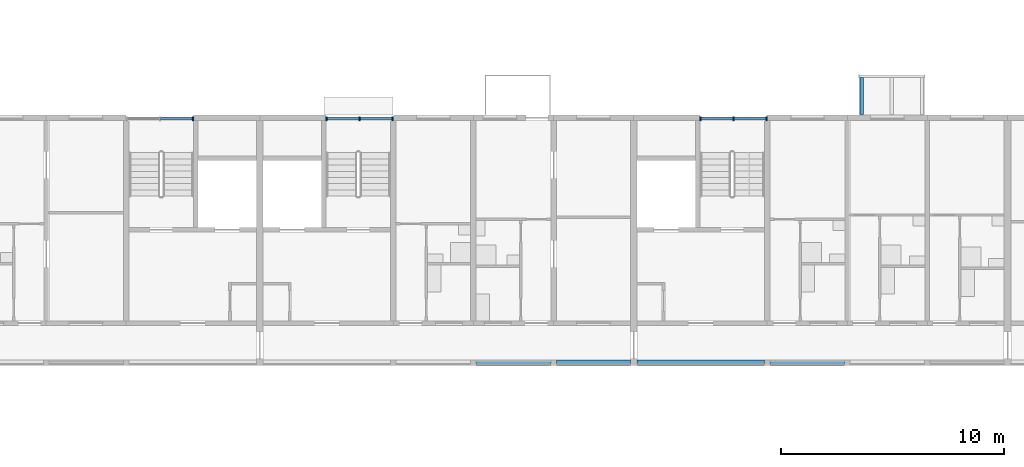
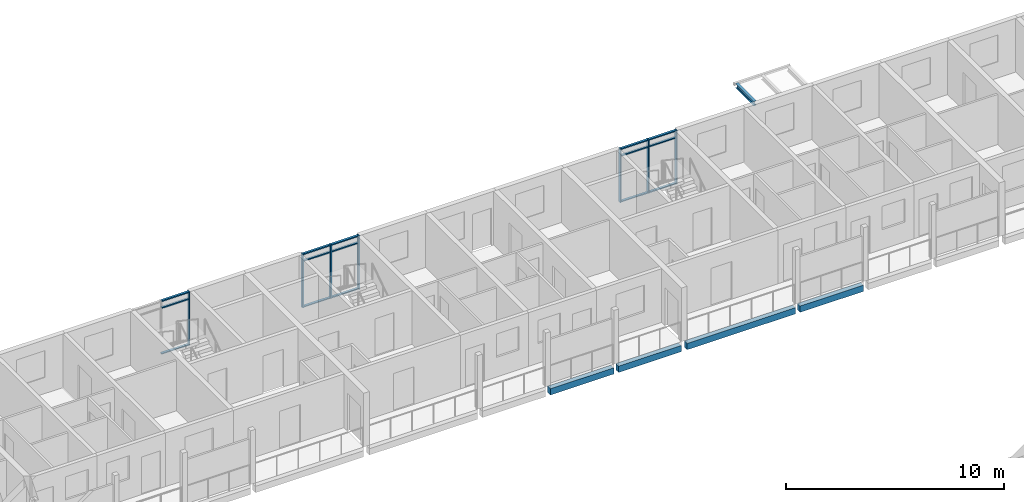
# One storey, part 37 of 122: 22 members, 5 beams, 3 elements without a shape of their own.
"""IFC4 building model written with IfcOpenShell, lengths in metres."""

import ifcopenshell
import ifcopenshell.guid

model = None  # the IFC model being written
_history = None  # IfcOwnerHistory: only IFC2X3 demands one
_inside = {}  # id of a spatial element -> (the spatial element, [elements in it])
_under = {}  # id of a project, library or spatial element -> (it, [spatial elements below it])
_declared = {}  # id of a project -> (the project, [libraries it declares])
_typed = {}  # id of a type object -> (the type object, [elements of that type])
_made_of = {}  # id of a material, layer set ... -> (it, [elements and type objects made of it])


def new_model(schema):
    """Start an empty IFC model of exactly this schema.

    Asked for "IFC4X3", IfcOpenShell would pick the latest addendum, in which some entities
    have other attributes; the version numbers below select the first issue.
    IFC2X3 requires an IfcOwnerHistory on every rooted entity: one is made here for all.
    """
    global model, _history
    if schema == "IFC4X3":
        model = ifcopenshell.file(schema_version=(4, 3, 0, 0))
    else:
        model = ifcopenshell.file(schema=schema)
    _inside.clear()
    _under.clear()
    _declared.clear()
    _typed.clear()
    _made_of.clear()
    _history = None
    if model.schema == "IFC2X3":
        org = make("IfcOrganization", Name="unknown")
        user = make(
            "IfcPersonAndOrganization",
            ThePerson=make("IfcPerson", FamilyName="unknown"),
            TheOrganization=org,
        )
        app = make(
            "IfcApplication",
            ApplicationDeveloper=org,
            Version="unknown",
            ApplicationFullName="unknown",
            ApplicationIdentifier="unknown",
        )
        _history = make(
            "IfcOwnerHistory",
            OwningUser=user,
            OwningApplication=app,
            ChangeAction="ADDED",
            CreationDate=0,
        )
    return model


def make(cls, **values):
    """One entity of the class cls with the attributes given. An attribute that is None is left unset."""
    return model.create_entity(
        cls, **{name: value for name, value in values.items() if value is not None}
    )


def rooted(cls, **values):
    """An entity with a GlobalId (a new one), such as an element, a storey or a relation."""
    return make(cls, GlobalId=ifcopenshell.guid.new(), OwnerHistory=_history, **values)


def si_unit(unit_type, name, prefix=None):
    """IfcSIUnit, for example si_unit("LENGTHUNIT", "METRE", prefix="MILLI")."""
    return make("IfcSIUnit", UnitType=unit_type, Prefix=prefix, Name=name)


def assignment(units):
    """IfcUnitAssignment: the units of a project."""
    return None if units is None else make("IfcUnitAssignment", Units=units)


def point(xyz):
    """IfcCartesianPoint."""
    return None if xyz is None else make("IfcCartesianPoint", Coordinates=xyz)


def direction(xyz):
    """IfcDirection."""
    return None if xyz is None else make("IfcDirection", DirectionRatios=xyz)


def frame(location, z_axis=None, x_axis=None):
    """IfcAxis2Placement3D, a coordinate frame: its origin and axes. An axis left out is left unset."""
    return make(
        "IfcAxis2Placement3D",
        Location=point(location),
        Axis=direction(z_axis),
        RefDirection=direction(x_axis),
    )


def frame_2d(location, x_axis=None):
    """IfcAxis2Placement2D, a coordinate frame in the plane: its origin and x axis."""
    return make(
        "IfcAxis2Placement2D", Location=point(location), RefDirection=direction(x_axis)
    )


def origin():
    """The frame at (0, 0, 0) with its axes left unset."""
    return frame((0.0, 0.0, 0.0))


def origin_2d():
    """The frame at (0, 0) in the plane with its x axis left unset."""
    return frame_2d((0.0, 0.0))


def place(relative_to, where):
    """IfcLocalPlacement: puts the frame where relative to a parent placement (None: the world)."""
    return make(
        "IfcLocalPlacement", PlacementRelTo=relative_to, RelativePlacement=where
    )


def context(
    kind, dimensions, precision=None, world=None, true_north=None, identifier=None
):
    """IfcGeometricRepresentationContext, for example the 3D "Model" context."""
    return make(
        "IfcGeometricRepresentationContext",
        ContextIdentifier=identifier,
        ContextType=kind,
        CoordinateSpaceDimension=dimensions,
        Precision=precision,
        WorldCoordinateSystem=world,
        TrueNorth=true_north,
    )


def subcontext(parent, identifier, kind, view, scale=None):
    """IfcGeometricRepresentationSubContext, for example "Body" below "Model"."""
    return make(
        "IfcGeometricRepresentationSubContext",
        ContextIdentifier=identifier,
        ContextType=kind,
        ParentContext=parent,
        TargetScale=scale,
        TargetView=view,
    )


def project(units=None, contexts=None):
    """IfcProject with its units and contexts."""
    return rooted(
        "IfcProject",
        Name="project",
        RepresentationContexts=contexts,
        UnitsInContext=assignment(units),
    )


def spatial(cls, under=None, at=None, **own):
    """A site, building, storey or space (cls), placed at a placement, below another one or the project."""
    s = rooted(cls, ObjectPlacement=at, **own)
    if under is not None:
        _under.setdefault(under.id(), (under, []))[1].append(s)
    return s


def profile(cls, at=None, kind="AREA", **sizes):
    """A parametric profile (cls). Its sizes go by their IFC names, for example OverallWidth=200.0."""
    return make(cls, ProfileType=kind, Position=at, **sizes)


def rectangle(**sizes):
    """IfcRectangleProfileDef."""
    return profile("IfcRectangleProfileDef", **sizes)


def i_section(**sizes):
    """IfcIShapeProfileDef."""
    return profile("IfcIShapeProfileDef", **sizes)


def extrude(swept, where, along, depth):
    """IfcExtrudedAreaSolid: the profile swept, set in the frame where, extruded along a direction by depth."""
    return make(
        "IfcExtrudedAreaSolid",
        SweptArea=swept,
        Position=where,
        ExtrudedDirection=direction(along),
        Depth=depth,
    )


def shape(context_of_items, identifier, shape_type, items):
    """IfcShapeRepresentation: the items that make up one representation, for example the "Body"."""
    return make(
        "IfcShapeRepresentation",
        ContextOfItems=context_of_items,
        RepresentationIdentifier=identifier,
        RepresentationType=shape_type,
        Items=items,
    )


def material(Name=None, Category=None):
    """IfcMaterial."""
    return make("IfcMaterial", Name=Name, Category=Category)


def material_profile(
    of_material, cross_section, Name=None, Category=None, Priority=None
):
    """IfcMaterialProfile: a cross section and its material."""
    return make(
        "IfcMaterialProfile",
        Name=Name,
        Material=of_material,
        Profile=cross_section,
        Priority=Priority,
        Category=Category,
    )


def profile_set(profiles, Name=None, composite=None):
    """IfcMaterialProfileSet."""
    return make(
        "IfcMaterialProfileSet",
        Name=Name,
        MaterialProfiles=profiles,
        CompositeProfile=composite,
    )


def made_of(thing, what):
    """Note that an element or type object is made of a material, layer set ...; save() writes the relation."""
    if what is not None:
        _made_of.setdefault(what.id(), (what, []))[1].append(thing)
    return thing


def type_object(cls, material=None, **own):
    """A type object (cls), such as IfcWallType, which elements share."""
    return made_of(rooted(cls, **own), material)


def element(
    cls,
    number,
    at=None,
    inside=None,
    cuts=None,
    type_object=None,
    material=None,
    context=None,
    identifier="Body",
    shape_type=None,
    held_by="IfcProductDefinitionShape",
    body=None,
    shapes=None,
    **own,
):
    """One element of the class cls, such as IfcWall. Its Tag is "e" and its number.

    at: its placement. inside: the storey or other place that contains it. cuts: it is an
    opening in that element (IfcRelVoidsElement). A single representation is given by context,
    identifier, shape_type and body (its items); several are given by shapes. held_by: the class
    of the entity that holds the representations. save() writes the other relations.
    """
    e = rooted(cls, Tag="e%d" % number, ObjectPlacement=at, **own)
    if body is not None:
        shapes = [shape(context, identifier, shape_type, body)]
    if shapes is not None:
        e.Representation = make(held_by, Representations=shapes)
    if inside is not None:
        _inside.setdefault(inside.id(), (inside, []))[1].append(e)
    if cuts is not None:
        rooted(
            "IfcRelVoidsElement", RelatingBuildingElement=cuts, RelatedOpeningElement=e
        )
    if type_object is not None:
        _typed.setdefault(type_object.id(), (type_object, []))[1].append(e)
    return made_of(e, material)


def aggregate(whole, parts):
    """IfcRelAggregates: a whole, such as a stair, and the parts it consists of."""
    return rooted("IfcRelAggregates", RelatingObject=whole, RelatedObjects=parts)


def save(model, path):
    """Write the relations noted so far, then the file.

    IfcRelAggregates (storeys below a building ...), IfcRelContainedInSpatialStructure (elements
    in a storey), IfcRelDefinesByType, IfcRelAssociatesMaterial and IfcRelDeclares: one each for
    every whole, place, type object, material and project.
    """
    for whole, parts in _under.values():
        aggregate(whole, parts)
    for where, things in _inside.values():
        rooted(
            "IfcRelContainedInSpatialStructure",
            RelatedElements=things,
            RelatingStructure=where,
        )
    for kind, things in _typed.values():
        rooted("IfcRelDefinesByType", RelatedObjects=things, RelatingType=kind)
    for what, things in _made_of.values():
        rooted("IfcRelAssociatesMaterial", RelatedObjects=things, RelatingMaterial=what)
    for by, libraries in _declared.values():
        rooted("IfcRelDeclares", RelatingContext=by, RelatedDefinitions=libraries)
    model.write(path)


model = new_model("IFC4")

# Units and contexts
model_context = context("Model", 3, precision=1e-05, world=origin(), true_north=direction((0.0, 1.0)))
body_context = subcontext(model_context, "Body", "Model", "MODEL_VIEW")
ifc_project = project(units=[si_unit("LENGTHUNIT", "METRE"), si_unit("AREAUNIT", "SQUARE_METRE"), si_unit("VOLUMEUNIT", "CUBIC_METRE"), si_unit("PLANEANGLEUNIT", "RADIAN"), si_unit("MASSUNIT", "GRAM", prefix="KILO")], contexts=[model_context])

# Site, building, storey
site_placement = place(None, origin())
site = spatial("IfcSite", under=ifc_project, at=site_placement, CompositionType="ELEMENT")
building_placement = place(site_placement, origin())
building = spatial("IfcBuilding", under=site, at=building_placement, Name="Ridgestep Commons", CompositionType="ELEMENT")
storey_placement = place(building_placement, frame((0.0, 0.0, 3.0)))
storey = spatial("IfcBuildingStorey", under=building, at=storey_placement, Name="L01", CompositionType="ELEMENT", Elevation=3.0)

# Beams
ifc_material_1 = material(Name="Precast concrete C40/50", Category="concrete")
ifc_material_profile_1 = material_profile(ifc_material_1, rectangle(XDim=0.25, YDim=0.35009765625, at=origin_2d()), Name="PC 250x350")
ifc_profile_set_1 = profile_set([ifc_material_profile_1], Name="Precast concrete C40/50")
beam_type_1 = type_object("IfcBeamType", Name="Loggia edge beam 250 x 350", PredefinedType="SPANDREL", material=ifc_profile_set_1)
beam_1_placement = place(storey_placement, frame((190.125, 66.125, -0.375), z_axis=(1.0, 0.0, 0.0), x_axis=(0.0, 1.0, 0.0)))
element("IfcBeam", 1, at=beam_1_placement, inside=storey, type_object=beam_type_1, Name="Loggia edge beam C3T2 L01", PredefinedType="SPANDREL", context=body_context, shape_type="SweptSolid", body=[
    extrude(rectangle(XDim=0.25, YDim=0.35009765625, at=origin_2d()), origin(), (0.0, 0.0, 1.0), 3.35009765625),
])
beam_2_placement = place(storey_placement, frame((193.72509765625, 66.125, -0.375), z_axis=(1.0, 0.0, 0.0), x_axis=(0.0, 1.0, 0.0)))
element("IfcBeam", 2, at=beam_2_placement, inside=storey, type_object=beam_type_1, Name="Loggia edge beam C3T1 L01", PredefinedType="SPANDREL", context=body_context, shape_type="SweptSolid", body=[
    extrude(rectangle(XDim=0.25, YDim=0.35009765625, at=origin_2d()), origin(), (0.0, 0.0, 1.0), 3.324951171875),
])
beam_3_placement = place(storey_placement, frame((197.35009765625, 66.125, -0.375), z_axis=(1.0, 0.0, 0.0), x_axis=(0.0, 1.0, 0.0)))
element("IfcBeam", 3, at=beam_3_placement, inside=storey, type_object=beam_type_1, Name="Loggia edge beam C4C L01", PredefinedType="SPANDREL", context=body_context, shape_type="SweptSolid", body=[
    extrude(rectangle(XDim=0.25, YDim=0.35009765625, at=origin_2d()), origin(), (0.0, 0.0, 1.0), 5.724853515625),
])
beam_4_placement = place(storey_placement, frame((203.324951171875, 66.125, -0.375), z_axis=(1.0, 0.0, 0.0), x_axis=(0.0, 1.0, 0.0)))
element("IfcBeam", 4, at=beam_4_placement, inside=storey, type_object=beam_type_1, Name="Loggia edge beam C4T3 L01", PredefinedType="SPANDREL", context=body_context, shape_type="SweptSolid", body=[
    extrude(rectangle(XDim=0.25, YDim=0.35009765625, at=origin_2d()), origin(), (0.0, 0.0, 1.0), 3.35009765625),
])

# Curtain wall, member
ifc_material_2 = material(Name="Aluminium 6063-T6 and glass", Category="aluminium")
curtain_wall_type = type_object("IfcCurtainWallType", Name="Curtain wall stair strip", PredefinedType="NOTDEFINED", material=ifc_material_2)
curtain_wall_1_placement = place(storey_placement, origin())
curtain_wall_1 = element("IfcCurtainWall", 5, at=curtain_wall_1_placement, inside=storey, type_object=curtain_wall_type, Name="Curtain wall C2C level 01", PredefinedType="NOTDEFINED")
ifc_material_3 = material(Name="Aluminium 6063-T6", Category="aluminium")
ifc_material_profile_2 = material_profile(ifc_material_3, rectangle(XDim=0.159912109375, YDim=0.06005859375, at=origin_2d()), Name="Mullion 60 x 160")
ifc_profile_set_2 = profile_set([ifc_material_profile_2], Name="Aluminium 6063-T6")
member_type_1 = type_object("IfcMemberType", Name="Mullion 60 x 160", PredefinedType="MULLION", material=ifc_profile_set_2)
member_1_placement = place(storey_placement, frame((177.39501953125, 77.080078125, 0.0), z_axis=(0.0, 0.0, 1.0), x_axis=(0.0, 1.0, 0.0)))
member_1 = element("IfcMember", 6, at=member_1_placement, type_object=member_type_1, Name="CW1 mullion 3", PredefinedType="MULLION", context=body_context, shape_type="SweptSolid", body=[
    extrude(rectangle(XDim=0.159912109375, YDim=0.06005859375, at=origin_2d()), origin(), (0.0, 0.0, 1.0), 3.0),
])

# Curtain wall, members
curtain_wall_2_placement = place(storey_placement, origin())
curtain_wall_2 = element("IfcCurtainWall", 7, at=curtain_wall_2_placement, inside=storey, type_object=curtain_wall_type, Name="Curtain wall C3C level 01", PredefinedType="NOTDEFINED")
member_2_placement = place(storey_placement, frame((183.405029296875, 77.080078125, 0.0), z_axis=(0.0, 0.0, 1.0), x_axis=(0.0, 1.0, 0.0)))
member_2 = element("IfcMember", 8, at=member_2_placement, type_object=member_type_1, Name="CW1 mullion 1", PredefinedType="MULLION", context=body_context, shape_type="SweptSolid", body=[
    extrude(rectangle(XDim=0.159912109375, YDim=0.06005859375, at=origin_2d()), origin(), (0.0, 0.0, 1.0), 3.0),
])
member_3_placement = place(storey_placement, frame((184.887451171875, 77.080078125, 0.0), z_axis=(0.0, 0.0, 1.0), x_axis=(0.0, 1.0, 0.0)))
member_3 = element("IfcMember", 9, at=member_3_placement, type_object=member_type_1, Name="CW1 mullion 2", PredefinedType="MULLION", context=body_context, shape_type="SweptSolid", body=[
    extrude(rectangle(XDim=0.159912109375, YDim=0.06005859375, at=origin_2d()), origin(), (0.0, 0.0, 1.0), 3.0),
])
member_4_placement = place(storey_placement, frame((186.3701171875, 77.080078125, 0.0), z_axis=(0.0, 0.0, 1.0), x_axis=(0.0, 1.0, 0.0)))
member_4 = element("IfcMember", 10, at=member_4_placement, type_object=member_type_1, Name="CW1 mullion 3", PredefinedType="MULLION", context=body_context, shape_type="SweptSolid", body=[
    extrude(rectangle(XDim=0.159912109375, YDim=0.06005859375, at=origin_2d()), origin(), (0.0, 0.0, 1.0), 3.0),
])

curtain_wall_3_placement = place(storey_placement, origin())
curtain_wall_3 = element("IfcCurtainWall", 11, at=curtain_wall_3_placement, inside=storey, type_object=curtain_wall_type, Name="Curtain wall C4C level 01", PredefinedType="NOTDEFINED")
member_5_placement = place(storey_placement, frame((200.205078125, 77.080078125, 0.0), z_axis=(0.0, 0.0, 1.0), x_axis=(0.0, 1.0, 0.0)))
member_5 = element("IfcMember", 12, at=member_5_placement, type_object=member_type_1, Name="CW1 mullion 1", PredefinedType="MULLION", context=body_context, shape_type="SweptSolid", body=[
    extrude(rectangle(XDim=0.159912109375, YDim=0.06005859375, at=origin_2d()), origin(), (0.0, 0.0, 1.0), 3.0),
])
member_6_placement = place(storey_placement, frame((201.6875, 77.080078125, 0.0), z_axis=(0.0, 0.0, 1.0), x_axis=(0.0, 1.0, 0.0)))
member_6 = element("IfcMember", 13, at=member_6_placement, type_object=member_type_1, Name="CW1 mullion 2", PredefinedType="MULLION", context=body_context, shape_type="SweptSolid", body=[
    extrude(rectangle(XDim=0.159912109375, YDim=0.06005859375, at=origin_2d()), origin(), (0.0, 0.0, 1.0), 3.0),
])
member_7_placement = place(storey_placement, frame((203.169921875, 77.080078125, 0.0), z_axis=(0.0, 0.0, 1.0), x_axis=(0.0, 1.0, 0.0)))
member_7 = element("IfcMember", 14, at=member_7_placement, type_object=member_type_1, Name="CW1 mullion 3", PredefinedType="MULLION", context=body_context, shape_type="SweptSolid", body=[
    extrude(rectangle(XDim=0.159912109375, YDim=0.06005859375, at=origin_2d()), origin(), (0.0, 0.0, 1.0), 3.0),
])

# Member
ifc_material_4 = material(Name="Aluminium 6063-T6", Category="aluminium")
ifc_material_profile_3 = material_profile(ifc_material_4, rectangle(XDim=0.1201171875, YDim=0.06005859375, at=origin_2d()), Name="Transom 60 x 120")
ifc_profile_set_3 = profile_set([ifc_material_profile_3], Name="Aluminium 6063-T6")
member_type_2 = type_object("IfcMemberType", Name="Transom 60 x 120", PredefinedType="USERDEFINED", material=ifc_profile_set_3)
member_8_placement = place(storey_placement, frame((175.9423828125, 77.080078125, 0.030029296875), z_axis=(1.0, 0.0, 0.0), x_axis=(0.0, 1.0, 0.0)))
member_8 = element("IfcMember", 15, at=member_8_placement, type_object=member_type_2, Name="CW1 transom 2.1", ObjectType="TRANSOM", PredefinedType="USERDEFINED", context=body_context, shape_type="SweptSolid", body=[
    extrude(rectangle(XDim=0.1201171875, YDim=0.06005859375, at=origin_2d()), origin(), (0.0, 0.0, 1.0), 1.422607421875),
])

member_9_placement = place(storey_placement, frame((175.9423828125, 77.080078125, 2.590087890625), z_axis=(1.0, 0.0, 0.0), x_axis=(0.0, 1.0, 0.0)))
member_9 = element("IfcMember", 16, at=member_9_placement, type_object=member_type_2, Name="CW1 transom 2.2", ObjectType="TRANSOM", PredefinedType="USERDEFINED", context=body_context, shape_type="SweptSolid", body=[
    extrude(rectangle(XDim=0.1201171875, YDim=0.06005859375, at=origin_2d()), origin(), (0.0, 0.0, 1.0), 1.422607421875),
])

member_10_placement = place(storey_placement, frame((175.9423828125, 77.080078125, 2.969970703125), z_axis=(1.0, 0.0, 0.0), x_axis=(0.0, 1.0, 0.0)))
member_10 = element("IfcMember", 17, at=member_10_placement, type_object=member_type_2, Name="CW1 transom 2.3", ObjectType="TRANSOM", PredefinedType="USERDEFINED", context=body_context, shape_type="SweptSolid", body=[
    extrude(rectangle(XDim=0.1201171875, YDim=0.06005859375, at=origin_2d()), origin(), (0.0, 0.0, 1.0), 1.422607421875),
])

aggregate(curtain_wall_1, [member_1, member_8, member_9, member_10])

member_11_placement = place(storey_placement, frame((183.43505859375, 77.080078125, 0.030029296875), z_axis=(1.0, 0.0, 0.0), x_axis=(0.0, 1.0, 0.0)))
member_11 = element("IfcMember", 18, at=member_11_placement, type_object=member_type_2, Name="CW1 transom 1.1", ObjectType="TRANSOM", PredefinedType="USERDEFINED", context=body_context, shape_type="SweptSolid", body=[
    extrude(rectangle(XDim=0.1201171875, YDim=0.06005859375, at=origin_2d()), origin(), (0.0, 0.0, 1.0), 1.42236328125),
])

member_12_placement = place(storey_placement, frame((183.43505859375, 77.080078125, 2.590087890625), z_axis=(1.0, 0.0, 0.0), x_axis=(0.0, 1.0, 0.0)))
member_12 = element("IfcMember", 19, at=member_12_placement, type_object=member_type_2, Name="CW1 transom 1.2", ObjectType="TRANSOM", PredefinedType="USERDEFINED", context=body_context, shape_type="SweptSolid", body=[
    extrude(rectangle(XDim=0.1201171875, YDim=0.06005859375, at=origin_2d()), origin(), (0.0, 0.0, 1.0), 1.42236328125),
])

member_13_placement = place(storey_placement, frame((183.43505859375, 77.080078125, 2.969970703125), z_axis=(1.0, 0.0, 0.0), x_axis=(0.0, 1.0, 0.0)))
member_13 = element("IfcMember", 20, at=member_13_placement, type_object=member_type_2, Name="CW1 transom 1.3", ObjectType="TRANSOM", PredefinedType="USERDEFINED", context=body_context, shape_type="SweptSolid", body=[
    extrude(rectangle(XDim=0.1201171875, YDim=0.06005859375, at=origin_2d()), origin(), (0.0, 0.0, 1.0), 1.42236328125),
])

member_14_placement = place(storey_placement, frame((184.91748046875, 77.080078125, 0.030029296875), z_axis=(1.0, 0.0, 0.0), x_axis=(0.0, 1.0, 0.0)))
member_14 = element("IfcMember", 21, at=member_14_placement, type_object=member_type_2, Name="CW1 transom 2.1", ObjectType="TRANSOM", PredefinedType="USERDEFINED", context=body_context, shape_type="SweptSolid", body=[
    extrude(rectangle(XDim=0.1201171875, YDim=0.06005859375, at=origin_2d()), origin(), (0.0, 0.0, 1.0), 1.422607421875),
])

member_15_placement = place(storey_placement, frame((184.91748046875, 77.080078125, 2.590087890625), z_axis=(1.0, 0.0, 0.0), x_axis=(0.0, 1.0, 0.0)))
member_15 = element("IfcMember", 22, at=member_15_placement, type_object=member_type_2, Name="CW1 transom 2.2", ObjectType="TRANSOM", PredefinedType="USERDEFINED", context=body_context, shape_type="SweptSolid", body=[
    extrude(rectangle(XDim=0.1201171875, YDim=0.06005859375, at=origin_2d()), origin(), (0.0, 0.0, 1.0), 1.422607421875),
])

member_16_placement = place(storey_placement, frame((184.91748046875, 77.080078125, 2.969970703125), z_axis=(1.0, 0.0, 0.0), x_axis=(0.0, 1.0, 0.0)))
member_16 = element("IfcMember", 23, at=member_16_placement, type_object=member_type_2, Name="CW1 transom 2.3", ObjectType="TRANSOM", PredefinedType="USERDEFINED", context=body_context, shape_type="SweptSolid", body=[
    extrude(rectangle(XDim=0.1201171875, YDim=0.06005859375, at=origin_2d()), origin(), (0.0, 0.0, 1.0), 1.422607421875),
])

aggregate(curtain_wall_2, [member_2, member_3, member_4, member_11, member_12, member_13, member_14, member_15, member_16])

member_17_placement = place(storey_placement, frame((200.235107421875, 77.080078125, 0.030029296875), z_axis=(1.0, 0.0, 0.0), x_axis=(0.0, 1.0, 0.0)))
member_17 = element("IfcMember", 24, at=member_17_placement, type_object=member_type_2, Name="CW1 transom 1.1", ObjectType="TRANSOM", PredefinedType="USERDEFINED", context=body_context, shape_type="SweptSolid", body=[
    extrude(rectangle(XDim=0.1201171875, YDim=0.06005859375, at=origin_2d()), origin(), (0.0, 0.0, 1.0), 1.42236328125),
])

member_18_placement = place(storey_placement, frame((200.235107421875, 77.080078125, 2.590087890625), z_axis=(1.0, 0.0, 0.0), x_axis=(0.0, 1.0, 0.0)))
member_18 = element("IfcMember", 25, at=member_18_placement, type_object=member_type_2, Name="CW1 transom 1.2", ObjectType="TRANSOM", PredefinedType="USERDEFINED", context=body_context, shape_type="SweptSolid", body=[
    extrude(rectangle(XDim=0.1201171875, YDim=0.06005859375, at=origin_2d()), origin(), (0.0, 0.0, 1.0), 1.42236328125),
])

member_19_placement = place(storey_placement, frame((200.235107421875, 77.080078125, 2.969970703125), z_axis=(1.0, 0.0, 0.0), x_axis=(0.0, 1.0, 0.0)))
member_19 = element("IfcMember", 26, at=member_19_placement, type_object=member_type_2, Name="CW1 transom 1.3", ObjectType="TRANSOM", PredefinedType="USERDEFINED", context=body_context, shape_type="SweptSolid", body=[
    extrude(rectangle(XDim=0.1201171875, YDim=0.06005859375, at=origin_2d()), origin(), (0.0, 0.0, 1.0), 1.42236328125),
])

member_20_placement = place(storey_placement, frame((201.717529296875, 77.080078125, 0.030029296875), z_axis=(1.0, 0.0, 0.0), x_axis=(0.0, 1.0, 0.0)))
member_20 = element("IfcMember", 27, at=member_20_placement, type_object=member_type_2, Name="CW1 transom 2.1", ObjectType="TRANSOM", PredefinedType="USERDEFINED", context=body_context, shape_type="SweptSolid", body=[
    extrude(rectangle(XDim=0.1201171875, YDim=0.06005859375, at=origin_2d()), origin(), (0.0, 0.0, 1.0), 1.42236328125),
])

member_21_placement = place(storey_placement, frame((201.717529296875, 77.080078125, 2.590087890625), z_axis=(1.0, 0.0, 0.0), x_axis=(0.0, 1.0, 0.0)))
member_21 = element("IfcMember", 28, at=member_21_placement, type_object=member_type_2, Name="CW1 transom 2.2", ObjectType="TRANSOM", PredefinedType="USERDEFINED", context=body_context, shape_type="SweptSolid", body=[
    extrude(rectangle(XDim=0.1201171875, YDim=0.06005859375, at=origin_2d()), origin(), (0.0, 0.0, 1.0), 1.42236328125),
])

member_22_placement = place(storey_placement, frame((201.717529296875, 77.080078125, 2.969970703125), z_axis=(1.0, 0.0, 0.0), x_axis=(0.0, 1.0, 0.0)))
member_22 = element("IfcMember", 29, at=member_22_placement, type_object=member_type_2, Name="CW1 transom 2.3", ObjectType="TRANSOM", PredefinedType="USERDEFINED", context=body_context, shape_type="SweptSolid", body=[
    extrude(rectangle(XDim=0.1201171875, YDim=0.06005859375, at=origin_2d()), origin(), (0.0, 0.0, 1.0), 1.42236328125),
])

aggregate(curtain_wall_3, [member_5, member_6, member_7, member_17, member_18, member_19, member_20, member_21, member_22])

# Beam
ifc_material_5 = material(Name="Weathering steel S355J2W", Category="steel")
ifc_material_profile_4 = material_profile(ifc_material_5, i_section(OverallWidth=0.14599609375, OverallDepth=0.25146484375, WebThickness=0.006103515625, FlangeThickness=0.008544921875, FilletRadius=0.007568359375, at=origin_2d()), Name="UB 254x146x31")
ifc_profile_set_4 = profile_set([ifc_material_profile_4], Name="Weathering steel S355J2W")
beam_type_2 = type_object("IfcBeamType", Name="Tray arm UB 254x146x31", PredefinedType="BEAM", material=ifc_profile_set_4)
beam_5_placement = place(storey_placement, frame((207.449951171875, 77.264892578125, 2.8642578125), z_axis=(0.0, 1.0, 0.0), x_axis=(-1.0, 0.0, 0.0)))
element("IfcBeam", 30, at=beam_5_placement, inside=storey, type_object=beam_type_2, Name="Tray arm C4T2-02.1", PredefinedType="BEAM", context=body_context, shape_type="SweptSolid", body=[
    extrude(i_section(OverallWidth=0.14599609375, OverallDepth=0.25146484375, WebThickness=0.006103515625, FlangeThickness=0.008544921875, FilletRadius=0.007568359375, at=origin_2d()), origin(), (0.0, 0.0, 1.0), 1.6650390625),
])

save(model, "model.ifc")
